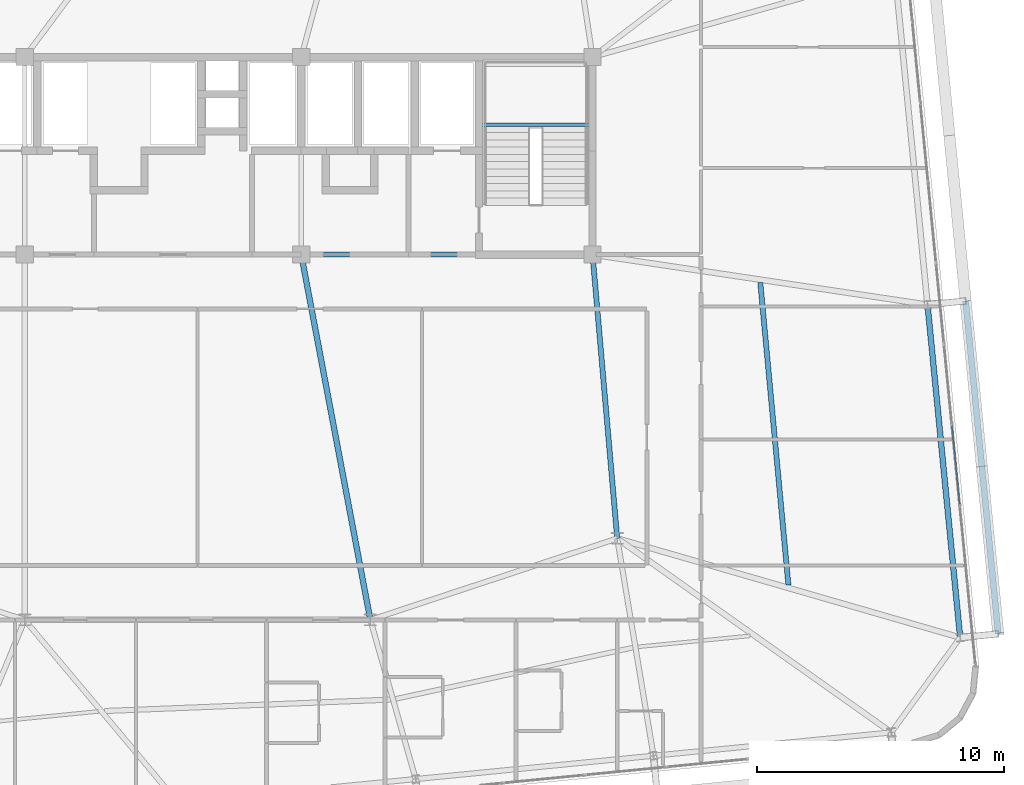
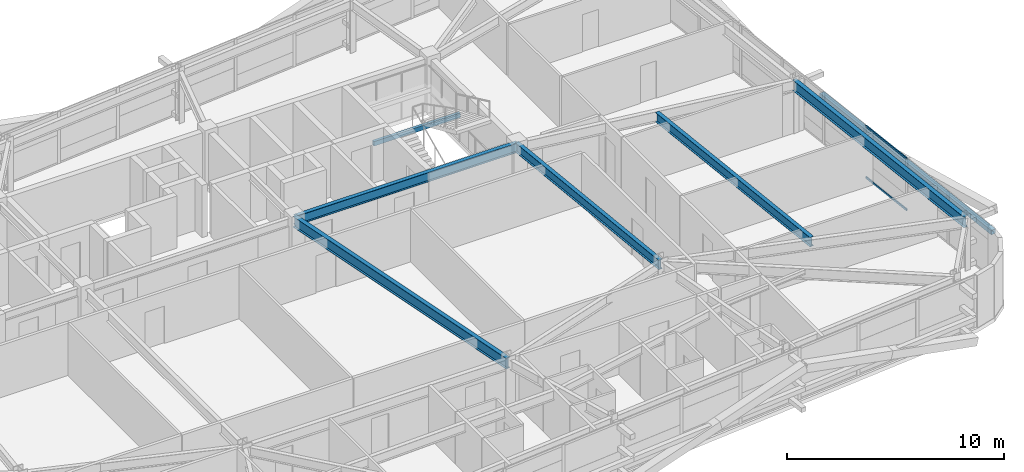
# One storey, part 23 of 53: 6 beams, 3 members, 1 element without a shape of its own.
"""IFC4 building model written with IfcOpenShell, lengths in metres."""

from ifc_helpers import new_model, si_unit, direction, frame, origin, origin_2d, place, context, subcontext, project, spatial, hollow_rectangle, i_section, extrude, source, transform, mapped, material, layer, layer_set, material_profile, profile_set, type_object, element, aggregate, save


model = new_model("IFC4")

# Units and contexts
model_context = context("Model", 3, precision=1e-05, world=origin(), true_north=direction((0.0, 1.0)))
body_context = subcontext(model_context, "Body", "Model", "MODEL_VIEW")
ifc_project = project(units=[si_unit("LENGTHUNIT", "METRE"), si_unit("AREAUNIT", "SQUARE_METRE"), si_unit("VOLUMEUNIT", "CUBIC_METRE"), si_unit("PLANEANGLEUNIT", "RADIAN"), si_unit("MASSUNIT", "GRAM", prefix="KILO")], contexts=[model_context])

# Site, building, storey
site_placement = place(None, origin())
site = spatial("IfcSite", under=ifc_project, at=site_placement, CompositionType="ELEMENT")
building_placement = place(site_placement, origin())
building = spatial("IfcBuilding", under=site, at=building_placement, Name="Taldren Reach Tower", CompositionType="ELEMENT")
storey_placement = place(building_placement, frame((0.0, 0.0, 71.39990234375)))
storey = spatial("IfcBuildingStorey", under=building, at=storey_placement, Name="L21", CompositionType="ELEMENT", Elevation=71.39990234375)

# Beams
ifc_material_1 = material(Name="Steel Gr 350 (350PLUS)", Category="steel")
ifc_material_profile_1 = material_profile(ifc_material_1, i_section(OverallWidth=0.208984375, OverallDepth=0.532958984375, WebThickness=0.01025390625, FlangeThickness=0.015625, at=origin_2d()), Name="530UB92.4")
ifc_profile_set_1 = profile_set([ifc_material_profile_1], Name="Steel Gr 350 (350PLUS)")
beam_type_1 = type_object("IfcBeamType", Name="BM-UB530A", PredefinedType="BEAM", material=ifc_profile_set_1)
shared_shape_1 = source(origin(), body_context, "Body", "SweptSolid", [
    extrude(i_section(OverallWidth=0.208984375, OverallDepth=0.532958984375, WebThickness=0.01025390625, FlangeThickness=0.015625, at=origin_2d()), origin(), (0.0, 0.0, 1.0), 11.800048828125),
])
beam_1_placement = place(storey_placement, frame((39.199951171875, 24.0, 2.66357421875), z_axis=(1.0, 0.0, 0.0), x_axis=(0.0, 1.0, 0.0)))
element("IfcBeam", 1, at=beam_1_placement, inside=storey, type_object=beam_type_1, Name="Core-spine girder L21-SP03", PredefinedType="BEAM", context=body_context, shape_type="MappedRepresentation", body=[
    mapped(shared_shape_1, transform((0.0, 0.0, 0.0), scale=1.0)),
])
shared_shape_2 = source(origin(), body_context, "Body", "SweptSolid", [
    extrude(i_section(OverallWidth=0.208984375, OverallDepth=0.532958984375, WebThickness=0.01025390625, FlangeThickness=0.015625, at=origin_2d()), origin(), (0.0, 0.0, 1.0), 11.54345703125),
])
beam_2_placement = place(storey_placement, frame((52.0, 12.5, 2.66357421875), z_axis=(-0.086629616365, 0.996240588196, 0.0), x_axis=(-0.996240588196, -0.086629616365, 0.0)))
element("IfcBeam", 2, at=beam_2_placement, inside=storey, type_object=beam_type_1, Name="Core-spine girder L21-SP13", PredefinedType="BEAM", context=body_context, shape_type="MappedRepresentation", body=[
    mapped(shared_shape_2, transform((0.0, 0.0, 0.0), scale=1.0)),
])
ifc_material_profile_2 = material_profile(ifc_material_1, i_section(OverallWidth=0.22802734375, OverallDepth=0.60205078125, WebThickness=0.010498046875, FlangeThickness=0.014892578125, at=origin_2d()), Name="610UB101")
ifc_profile_set_2 = profile_set([ifc_material_profile_2], Name="Steel Gr 350 (350PLUS)")
beam_type_2 = type_object("IfcBeamType", Name="BM-UB610B", PredefinedType="BEAM", material=ifc_profile_set_2)
shared_shape_3 = source(origin(), body_context, "Body", "SweptSolid", [
    extrude(i_section(OverallWidth=0.22802734375, OverallDepth=0.60205078125, WebThickness=0.010498046875, FlangeThickness=0.014892578125, at=origin_2d()), origin(), (0.0, 0.0, 1.0), 15.0625),
])
beam_3_placement = place(storey_placement, frame((39.199951171875, 24.0, 2.629150390625), z_axis=(0.185894205668, -0.982569765614, 0.0), x_axis=(0.982569765614, 0.185894205668, 0.0)))
element("IfcBeam", 3, at=beam_3_placement, inside=storey, type_object=beam_type_2, Name="Core-spine girder L21-SP15", PredefinedType="BEAM", context=body_context, shape_type="MappedRepresentation", body=[
    mapped(shared_shape_3, transform((0.0, 0.0, 0.0), scale=1.0)),
])
shared_shape_4 = source(origin(), body_context, "Body", "SweptSolid", [
    extrude(i_section(OverallWidth=0.22802734375, OverallDepth=0.60205078125, WebThickness=0.010498046875, FlangeThickness=0.014892578125, at=origin_2d()), origin(), (0.0, 0.0, 1.0), 13.550048828125),
])
beam_4_placement = place(storey_placement, frame((65.8916015625, 8.483642578125, 2.629150390625), z_axis=(-0.097566175139, 0.995229039703, 0.0), x_axis=(-0.995229039703, -0.097566175139, 0.0)))
element("IfcBeam", 4, at=beam_4_placement, inside=storey, type_object=beam_type_2, Name="Perimeter gable girder B2 E1-E2 L21", PredefinedType="BEAM", context=body_context, shape_type="MappedRepresentation", body=[
    mapped(shared_shape_4, transform((0.0, 0.0, 0.0), scale=1.0)),
])
shared_shape_5 = source(origin(), body_context, "Body", "SweptSolid", [
    extrude(i_section(OverallWidth=0.208984375, OverallDepth=0.532958984375, WebThickness=0.01025390625, FlangeThickness=0.015625, at=origin_2d()), origin(), (0.0, 0.0, 1.0), 12.306396484375),
])
beam_5_placement = place(storey_placement, frame((58.9345703125, 10.61376953125, 2.66357421875), z_axis=(-0.092546068089, 0.995708403741, 0.0), x_axis=(-0.995708403741, -0.092546068089, 0.0)))
element("IfcBeam", 5, at=beam_5_placement, inside=storey, type_object=beam_type_1, Name="Secondary floor beam B2 J7 L21", PredefinedType="BEAM", context=body_context, shape_type="MappedRepresentation", body=[
    mapped(shared_shape_5, transform((0.0, 0.0, 0.0), scale=1.0)),
])

# Member
ifc_material_2 = material(Name="Steel Gr 350 (C350L0)", Category="steel")
ifc_material_profile_3 = material_profile(ifc_material_2, hollow_rectangle(XDim=0.25, YDim=0.25, WallThickness=0.010009765625, at=origin_2d()), Name="250x250x10.0SHS")
ifc_profile_set_3 = profile_set([ifc_material_profile_3], Name="Steel Gr 350 (C350L0)")
member_type_1 = type_object("IfcMemberType", Name="MB-POST250", PredefinedType="POST", material=ifc_profile_set_3)
shared_shape_6 = source(origin(), body_context, "Body", "SweptSolid", [
    extrude(hollow_rectangle(XDim=0.25, YDim=0.25, WallThickness=0.010009765625, at=origin_2d()), origin(), (0.0, 0.0, 1.0), 13.550048828125),
])
member_1_placement = place(storey_placement, frame((67.434326171875, 8.634765625, 1.43505859375), z_axis=(-0.097584021339, 0.995227290009, 0.0), x_axis=(-0.995227290009, -0.097584021339, 0.0)))
element("IfcMember", 6, at=member_1_placement, inside=storey, type_object=member_type_1, Name="Exoskeleton mid-height ring chord B2-E1 L21", PredefinedType="POST", context=body_context, shape_type="MappedRepresentation", body=[
    mapped(shared_shape_6, transform((0.0, 0.0, 0.0), scale=1.0)),
])

# Curtain wall, members
ifc_material_3 = material(Name="Aluminium and Low-E Glass Unitised System", Category="aluminium")
ifc_layer = layer(ifc_material_3, 0.159912109375)
ifc_layer_set = layer_set([ifc_layer], Name="Aluminium and Low-E Glass Unitised System")
curtain_wall_type = type_object("IfcCurtainWallType", Name="CW-SYS-3", PredefinedType="NOTDEFINED", material=ifc_layer_set)
curtain_wall_placement = place(storey_placement, origin())
curtain_wall = element("IfcCurtainWall", 7, at=curtain_wall_placement, inside=storey, type_object=curtain_wall_type, Name="Unitised curtain wall CW-L21-E", PredefinedType="NOTDEFINED")
ifc_material_4 = material(Name="Anodised Aluminium 6063-T6", Category="aluminium")
ifc_material_profile_4 = material_profile(ifc_material_4, hollow_rectangle(XDim=0.054931640625, YDim=0.1201171875, WallThickness=0.0029296875, at=origin_2d()), Name="ALU-120x55x3RHS")
ifc_profile_set_4 = profile_set([ifc_material_profile_4], Name="Anodised Aluminium 6063-T6")
member_type_2 = type_object("IfcMemberType", Name="CW-TRN-135", PredefinedType="USERDEFINED", material=ifc_profile_set_4)
shared_shape_7 = source(origin(), body_context, "Body", "SweptSolid", [
    extrude(hollow_rectangle(XDim=0.054931640625, YDim=0.1201171875, WallThickness=0.0029296875, at=origin_2d()), origin(), (0.0, 0.0, 1.0), 3.212646484375),
])
member_2_placement = place(storey_placement, frame((65.87353515625, 13.895751953125, 0.027587890625), z_axis=(-0.097577327663, 0.995227946315, 0.0), x_axis=(-0.995227946315, -0.097577327663, 0.0)))
member_2 = element("IfcMember", 8, at=member_2_placement, type_object=member_type_2, Name="CW-3 transom 3.1", ObjectType="TRANSOM", PredefinedType="USERDEFINED", context=body_context, shape_type="MappedRepresentation", body=[
    mapped(shared_shape_7, transform((0.0, 0.0, 0.0), scale=1.0)),
])
member_3_placement = place(storey_placement, frame((65.87353515625, 13.895751953125, 2.902587890625), z_axis=(-0.097577327663, 0.995227946315, 0.0), x_axis=(-0.995227946315, -0.097577327663, 0.0)))
member_3 = element("IfcMember", 9, at=member_3_placement, type_object=member_type_2, Name="CW-3 transom 3.2", ObjectType="TRANSOM", PredefinedType="USERDEFINED", context=body_context, shape_type="MappedRepresentation", body=[
    mapped(shared_shape_7, transform((0.0, 0.0, 0.0), scale=1.0)),
])
aggregate(curtain_wall, [member_2, member_3])

# Beam
ifc_material_profile_5 = material_profile(ifc_material_2, hollow_rectangle(XDim=0.14990234375, YDim=0.25, WallThickness=0.009033203125, at=origin_2d()), Name="250x150x9.0RHS")
ifc_profile_set_5 = profile_set([ifc_material_profile_5], Name="Steel Gr 350 (C350L0)")
beam_type_3 = type_object("IfcBeamType", Name="LN-RHS250", PredefinedType="LINTEL", material=ifc_profile_set_5)
shared_shape_8 = source(origin(), body_context, "Body", "SweptSolid", [
    extrude(hollow_rectangle(XDim=0.14990234375, YDim=0.25, WallThickness=0.009033203125, at=origin_2d()), origin(), (0.0, 0.0, 1.0), 4.60009765625),
])
beam_6_placement = place(storey_placement, frame((46.39990234375, 29.2548828125, 1.27001953125), z_axis=(1.0, 0.0, 0.0), x_axis=(0.0, 1.0, 0.0)))
element("IfcBeam", 10, at=beam_6_placement, inside=storey, type_object=beam_type_3, Name="Stair half-landing support beam ST2-L21-1", PredefinedType="LINTEL", context=body_context, shape_type="MappedRepresentation", body=[
    mapped(shared_shape_8, transform((0.0, 0.0, 0.0), scale=1.0)),
])

save(model, "model.ifc")
